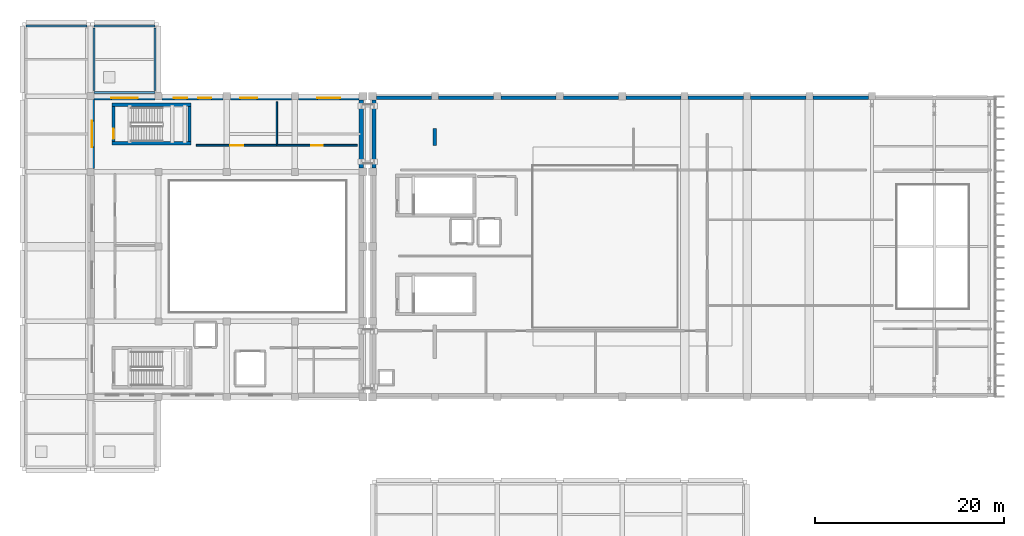
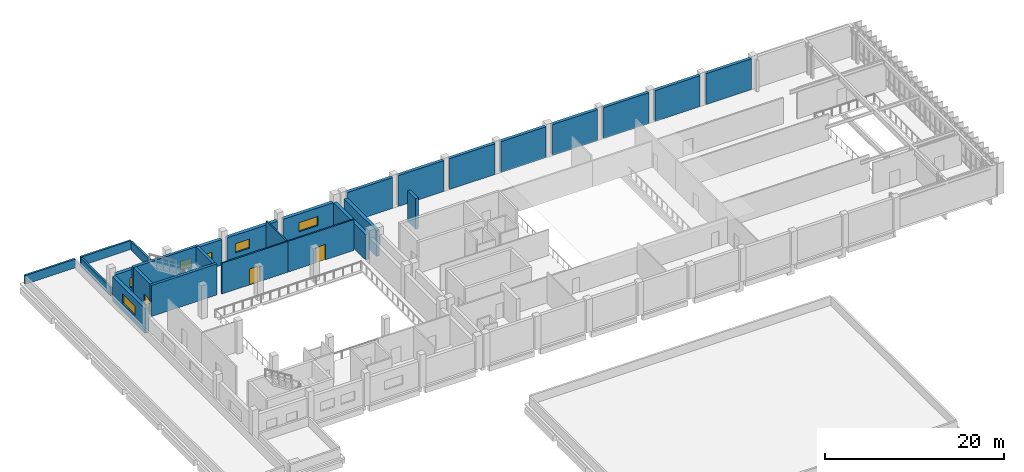
# One storey, part 17 of 23: 28 walls, 6 windows, 3 doors, 9 openings.
"""IFC4 building model written with IfcOpenShell, lengths in metres."""

from ifc_helpers import new_model, si_unit, direction, frame, frame_2d, origin, place, context, subcontext, project, spatial, rectangle, extrude, material, layer, layer_set, type_object, element, fill, save


model = new_model("IFC4")

# Units and contexts
model_context = context("Model", 3, precision=1e-05, world=origin(), true_north=direction((0.0, 1.0)))
body_context = subcontext(model_context, "Body", "Model", "MODEL_VIEW")
ifc_project = project(units=[si_unit("LENGTHUNIT", "METRE"), si_unit("AREAUNIT", "SQUARE_METRE"), si_unit("VOLUMEUNIT", "CUBIC_METRE"), si_unit("PLANEANGLEUNIT", "RADIAN"), si_unit("MASSUNIT", "GRAM", prefix="KILO")], contexts=[model_context])

# Site, building, storey
site_placement = place(None, origin())
site = spatial("IfcSite", under=ifc_project, at=site_placement, CompositionType="ELEMENT")
building_placement = place(site_placement, origin())
building = spatial("IfcBuilding", under=site, at=building_placement, Name="Kelarvand Opera House", CompositionType="ELEMENT")
storey_placement = place(building_placement, frame((0.0, 0.0, 19.5)))
storey = spatial("IfcBuildingStorey", under=building, at=storey_placement, Name="L04", CompositionType="ELEMENT", Elevation=19.5)

# Walls
ifc_material_1 = material(Name="Concrete C35/45", Category="concrete")
ifc_layer_1 = layer(ifc_material_1, 0.39990234375, Name="Concrete C35/45", Category="concrete")
ifc_layer_set_1 = layer_set([ifc_layer_1], Name="Concrete C35/45")
wall_type_1 = type_object("IfcWallType", Name="Acoustic Brick-Travertine Double Wall 400", PredefinedType="SOLIDWALL", material=ifc_layer_set_1)
wall_1_placement = place(storey_placement, frame((89.409912109375, 78.219970703125, 0.0), z_axis=(0.0, 0.0, 1.0), x_axis=(1.0, 0.0, 0.0)))
element("IfcWall", 1, at=wall_1_placement, inside=storey, type_object=wall_type_1, Name="V1 L04 Exterior Wall EW-400 (149)", PredefinedType="SOLIDWALL", context=body_context, shape_type="SweptSolid", body=[
    extrude(rectangle(XDim=5.815185546875, YDim=0.39990234375, at=frame_2d((2.90771484375, 0.0))), origin(), (0.0, 0.0, 1.0), 4.199951171875),
])
wall_2_placement = place(storey_placement, frame((95.97509765625, 78.219970703125, 0.0), z_axis=(0.0, 0.0, 1.0), x_axis=(1.0, 0.0, 0.0)))
element("IfcWall", 2, at=wall_2_placement, inside=storey, type_object=wall_type_1, Name="V1 L04 Exterior Wall EW-400 (150)", PredefinedType="SOLIDWALL", context=body_context, shape_type="SweptSolid", body=[
    extrude(rectangle(XDim=5.849853515625, YDim=0.39990234375, at=frame_2d((2.9248046875, 0.0))), origin(), (0.0, 0.0, 1.0), 4.199951171875),
])
wall_3_placement = place(storey_placement, frame((102.574951171875, 78.219970703125, 0.0), z_axis=(0.0, 0.0, 1.0), x_axis=(1.0, 0.0, 0.0)))
element("IfcWall", 3, at=wall_3_placement, inside=storey, type_object=wall_type_1, Name="V1 L04 Exterior Wall EW-400 (151)", PredefinedType="SOLIDWALL", context=body_context, shape_type="SweptSolid", body=[
    extrude(rectangle(XDim=5.85009765625, YDim=0.39990234375, at=frame_2d((2.925048828125, 0.0))), origin(), (0.0, 0.0, 1.0), 4.199951171875),
])
for number, where, z_axis, x_axis, name in (
    (4, (109.175048828125, 78.219970703125, 0.0), (0.0, 0.0, 1.0), (1.0, 0.0, 0.0), "V1 L04 Exterior Wall EW-400 (152)"),
    (5, (115.81005859375, 78.219970703125, 0.0), (0.0, 0.0, 1.0), (1.0, 0.0, 0.0), "V1 L04 Exterior Wall EW-400 (153)"),
):
    element("IfcWall", number, at=place(storey_placement, frame(where, z_axis=z_axis, x_axis=x_axis)), inside=storey, type_object=wall_type_1, Name=name, PredefinedType="SOLIDWALL", context=body_context, shape_type="SweptSolid", body=[
        extrude(rectangle(XDim=5.81494140625, YDim=0.39990234375, at=frame_2d((2.907470703125, 0.0))), origin(), (0.0, 0.0, 1.0), 4.199951171875),
    ])
wall_4_placement = place(storey_placement, frame((122.375, 78.219970703125, 0.0), z_axis=(0.0, 0.0, 1.0), x_axis=(1.0, 0.0, 0.0)))
element("IfcWall", 6, at=wall_4_placement, inside=storey, type_object=wall_type_1, Name="V1 L04 Exterior Wall EW-400 (154)", PredefinedType="SOLIDWALL", context=body_context, shape_type="SweptSolid", body=[
    extrude(rectangle(XDim=5.85009765625, YDim=0.39990234375, at=frame_2d((2.925048828125, 0.0))), origin(), (0.0, 0.0, 1.0), 4.199951171875),
])
wall_5_placement = place(storey_placement, frame((128.97509765625, 78.219970703125, 0.0), z_axis=(0.0, 0.0, 1.0), x_axis=(1.0, 0.0, 0.0)))
element("IfcWall", 7, at=wall_5_placement, inside=storey, type_object=wall_type_1, Name="V1 L04 Exterior Wall EW-400 (155)", PredefinedType="SOLIDWALL", context=body_context, shape_type="SweptSolid", body=[
    extrude(rectangle(XDim=5.849853515625, YDim=0.39990234375, at=frame_2d((2.9248046875, 0.0))), origin(), (0.0, 0.0, 1.0), 4.199951171875),
])
wall_6_placement = place(storey_placement, frame((135.574951171875, 78.219970703125, 0.0), z_axis=(0.0, 0.0, 1.0), x_axis=(1.0, 0.0, 0.0)))
element("IfcWall", 8, at=wall_6_placement, inside=storey, type_object=wall_type_1, Name="V1 L04 Exterior Wall EW-400 (156)", PredefinedType="SOLIDWALL", context=body_context, shape_type="SweptSolid", body=[
    extrude(rectangle(XDim=5.85009765625, YDim=0.39990234375, at=frame_2d((2.925048828125, 0.0))), origin(), (0.0, 0.0, 1.0), 4.199951171875),
])
wall_7_placement = place(storey_placement, frame((89.179931640625, 70.81005859375, 0.0), z_axis=(0.0, 0.0, 1.0), x_axis=(0.0, 1.0, 0.0)))
element("IfcWall", 9, at=wall_7_placement, inside=storey, type_object=wall_type_1, Name="V1 L04 Exterior Wall EW-400 (161)", PredefinedType="SOLIDWALL", context=body_context, shape_type="SweptSolid", body=[
    extrude(rectangle(XDim=7.179931640625, YDim=0.39990234375, at=frame_2d((3.58984375, 0.0))), origin(), (0.0, 0.0, 1.0), 3.510009765625),
])
ifc_material_2 = material(Name="Acoustic double-stud gypsum partition")
ifc_layer_2 = layer(ifc_material_2, 0.14990234375, Name="Acoustic double-stud gypsum partition")
ifc_layer_set_2 = layer_set([ifc_layer_2], Name="Acoustic double-stud gypsum partition")
wall_type_2 = type_object("IfcWallType", Name="Acoustic Room Partition Wall 150", PredefinedType="PARTITIONING", material=ifc_layer_set_2)
wall_8_placement = place(storey_placement, frame((78.89990234375, 73.340087890625, 0.0), z_axis=(0.0, 0.0, 1.0), x_axis=(0.0, 1.0, 0.0)))
element("IfcWall", 10, at=wall_8_placement, inside=storey, type_object=wall_type_2, Name="V2 L04 Partition Wall IW-150 (650)", PredefinedType="PARTITIONING", context=body_context, shape_type="SweptSolid", body=[
    extrude(rectangle(XDim=4.4599609375, YDim=0.14990234375, at=frame_2d((2.22998046875, 0.0))), origin(), (0.0, 0.0, 1.0), 4.19189453125),
])
ifc_layer_3 = layer(ifc_material_1, 0.239990234375, Name="Concrete C35/45", Category="concrete")
ifc_layer_set_3 = layer_set([ifc_layer_3], Name="Concrete C35/45")
wall_type_3 = type_object("IfcWallType", Name="Capped Travertine Roof Parapet 240", PredefinedType="PARAPET", material=ifc_layer_set_3)
wall_9_placement = place(storey_placement, frame((58.820068359375, 85.820068359375, 0.0), z_axis=(0.0, 0.0, 1.0), x_axis=(-1.0, 0.0, 0.0)))
element("IfcWall", 11, at=wall_9_placement, inside=storey, type_object=wall_type_3, Name="V2 Roof Parapet 14", PredefinedType="PARAPET", context=body_context, shape_type="SweptSolid", body=[
    extrude(rectangle(XDim=6.440185546875, YDim=0.239990234375, at=frame_2d((3.22021484375, 0.0))), origin(), (0.0, 0.0, 1.0), 1.199951171875),
])
for number, where, z_axis, x_axis, name in (
    (12, (59.580078125, 78.780029296875, 0.0), (0.0, 0.0, 1.0), (1.0, 0.0, 0.0), "V2 Roof Parapet 21"),
    (13, (66.02001953125, 85.820068359375, 0.0), (0.0, 0.0, 1.0), (-1.0, 0.0, 0.0), "V2 Roof Parapet 22"),
):
    element("IfcWall", number, at=place(storey_placement, frame(where, z_axis=z_axis, x_axis=x_axis)), inside=storey, type_object=wall_type_3, Name=name, PredefinedType="PARAPET", context=body_context, shape_type="SweptSolid", body=[
        extrude(rectangle(XDim=6.43994140625, YDim=0.239990234375, at=frame_2d((3.219970703125, 0.0))), origin(), (0.0, 0.0, 1.0), 1.199951171875),
    ])
for number, where, z_axis, x_axis, name in (
    (14, (59.580078125, 85.580078125, 0.0), (0.0, 0.0, 1.0), (0.0, -1.0, 0.0), "V2 Roof Parapet 23"),
    (15, (66.02001953125, 79.02001953125, 0.0), (0.0, 0.0, 1.0), (0.0, 1.0, 0.0), "V2 Roof Parapet 24"),
):
    element("IfcWall", number, at=place(storey_placement, frame(where, z_axis=z_axis, x_axis=x_axis)), inside=storey, type_object=wall_type_3, Name=name, PredefinedType="PARAPET", context=body_context, shape_type="SweptSolid", body=[
        extrude(rectangle(XDim=6.56005859375, YDim=0.239990234375, at=frame_2d((3.280029296875, 0.0))), origin(), (0.0, 0.0, 1.0), 1.199951171875),
    ])
ifc_material_3 = material(Name="Concrete C40/50", Category="concrete")
ifc_layer_4 = layer(ifc_material_3, 0.35009765625, Name="Concrete C40/50", Category="concrete")
ifc_layer_set_4 = layer_set([ifc_layer_4], Name="Concrete C40/50")
wall_type_4 = type_object("IfcWallType", Name="Core Stair and Lift Shear Wall 350", PredefinedType="SHEAR", material=ifc_layer_set_4)
for number, where, z_axis, x_axis, name in (
    (16, (61.449951171875, 73.425048828125, 0.0), (0.0, 0.0, 1.0), (1.0, 0.0, 0.0), "C3 Stair Core Shear Wall S L04"),
    (17, (69.85009765625, 77.47509765625, 0.0), (0.0, 0.0, 1.0), (-1.0, 0.0, 0.0), "C3 Stair Core Shear Wall N L04"),
):
    element("IfcWall", number, at=place(storey_placement, frame(where, z_axis=z_axis, x_axis=x_axis)), inside=storey, type_object=wall_type_4, Name=name, PredefinedType="SHEAR", context=body_context, shape_type="SweptSolid", body=[
        extrude(rectangle(XDim=8.400146484375, YDim=0.35009765625, at=frame_2d((4.2001953125, 0.0))), origin(), (0.0, 0.0, 1.0), 4.219970703125),
    ])

# Wall, opening, door
wall_10_placement = place(storey_placement, frame((61.625, 73.60009765625, 0.0), z_axis=(0.0, 0.0, 1.0), x_axis=(0.0, 1.0, 0.0)))
wall_10 = element("IfcWall", 18, at=wall_10_placement, inside=storey, type_object=wall_type_4, Name="C3 Stair Core Shear Wall W L04", PredefinedType="SHEAR", context=body_context, shape_type="SweptSolid", body=[
    extrude(rectangle(XDim=3.699951171875, YDim=0.35009765625, at=frame_2d((1.85009765625, 0.0))), origin(), (0.0, 0.0, 1.0), 4.219970703125),
])
opening_1_placement = place(wall_10_placement, frame((0.280029296875, 0.0, 0.0)))
opening_1 = element("IfcOpeningElement", 19, at=opening_1_placement, cuts=wall_10, Name="Opening FD-01", PredefinedType="OPENING", context=body_context, shape_type="SweptSolid", body=[
    extrude(rectangle(XDim=1.10009765625, YDim=2.080078125, at=frame_2d((0.550048828125, 1.0400390625))), frame((0.0, 0.18505859375, 0.0), z_axis=(0.0, -1.0, 0.0), x_axis=(1.0, 0.0, 0.0)), (0.0, 0.0, 1.0), 0.3701171875),
])
ifc_material_4 = material(Name="Fire-rated brushed stainless steel", Category="steel")
door_type_1 = type_object("IfcDoorType", Name="Steel Fire-Rated Stair and FF Lobby Door 1100x2080", OperationType="NOTDEFINED", PredefinedType="DOOR", material=ifc_material_4)
door_1_placement = place(opening_1_placement, origin())
door_1 = element("IfcDoor", 20, at=door_1_placement, inside=storey, type_object=door_type_1, Name="C3 Stair ST-03 Fire Door L04", OperationType="SINGLE_SWING_RIGHT", OverallHeight=2.080078125, OverallWidth=1.10009765625, PredefinedType="DOOR", context=body_context, shape_type="SweptSolid", body=[
    extrude(rectangle(XDim=1.10009765625, YDim=2.080078125, at=frame_2d((0.550048828125, 1.0400390625))), frame((0.0, 0.02490234375, 0.0), z_axis=(0.0, -1.0, 0.0), x_axis=(1.0, 0.0, 0.0)), (0.0, 0.0, 1.0), 0.050048828125),
])
fill(opening_1, door_1)

# Wall
wall_11_placement = place(storey_placement, frame((69.675048828125, 77.300048828125, 0.0), z_axis=(0.0, 0.0, 1.0), x_axis=(0.0, -1.0, 0.0)))
element("IfcWall", 21, at=wall_11_placement, inside=storey, type_object=wall_type_4, Name="C3 Stair Core Shear Wall E L04", PredefinedType="SHEAR", context=body_context, shape_type="SweptSolid", body=[
    extrude(rectangle(XDim=3.699951171875, YDim=0.35009765625, at=frame_2d((1.85009765625, 0.0))), origin(), (0.0, 0.0, 1.0), 4.219970703125),
])

# Wall, opening, door
ifc_layer_5 = layer(ifc_material_1, 0.179931640625, Name="Concrete C35/45", Category="concrete")
ifc_layer_set_5 = layer_set([ifc_layer_5], Name="Concrete C35/45")
wall_type_5 = type_object("IfcWallType", Name="Corridor Fire-Rated Partition Wall 180 EI90", PredefinedType="PARTITIONING", material=ifc_layer_set_5)
wall_12_placement = place(storey_placement, frame((70.39990234375, 73.199951171875, 0.0), z_axis=(0.0, 0.0, 1.0), x_axis=(1.0, 0.0, 0.0)))
wall_12 = element("IfcWall", 22, at=wall_12_placement, inside=storey, type_object=wall_type_5, Name="V2 L04 Partition Wall IW-90 (649)", PredefinedType="PARTITIONING", context=body_context, shape_type="SweptSolid", body=[
    extrude(rectangle(XDim=8.5, YDim=0.179931640625, at=frame_2d((4.25, 0.0))), origin(), (0.0, 0.0, 1.0), 4.19189453125),
])
opening_2_placement = place(wall_12_placement, frame((3.574951171875, 0.0, 0.0)))
opening_2 = element("IfcOpeningElement", 23, at=opening_2_placement, cuts=wall_12, Name="Opening D-12", PredefinedType="OPENING", context=body_context, shape_type="SweptSolid", body=[
    extrude(rectangle(XDim=1.35009765625, YDim=2.159912109375, at=frame_2d((0.675048828125, 1.080078125))), frame((0.0, 0.10009765625, 0.0), z_axis=(0.0, -1.0, 0.0), x_axis=(1.0, 0.0, 0.0)), (0.0, 0.0, 1.0), 0.199951171875),
])
ifc_material_5 = material(Name="Acoustic walnut-veneered hardwood", Category="wood")
door_type_2 = type_object("IfcDoorType", Name="Wardrobe Studio Leaf-and-Half Door 1350x2160", OperationType="NOTDEFINED", PredefinedType="DOOR", material=ifc_material_5)
door_2_placement = place(opening_2_placement, origin())
door_2 = element("IfcDoor", 24, at=door_2_placement, inside=storey, type_object=door_type_2, Name="V2 L04 Door D-12 (291)", OperationType="SINGLE_SWING_LEFT", OverallHeight=2.159912109375, OverallWidth=1.35009765625, PredefinedType="DOOR", context=body_context, shape_type="SweptSolid", body=[
    extrude(rectangle(XDim=1.35009765625, YDim=2.159912109375, at=frame_2d((0.675048828125, 1.080078125))), frame((0.0, 0.02490234375, 0.0), z_axis=(0.0, -1.0, 0.0), x_axis=(1.0, 0.0, 0.0)), (0.0, 0.0, 1.0), 0.050048828125),
])
fill(opening_2, door_2)

wall_13_placement = place(storey_placement, frame((78.89990234375, 73.199951171875, 0.0), z_axis=(0.0, 0.0, 1.0), x_axis=(1.0, 0.0, 0.0)))
wall_13 = element("IfcWall", 25, at=wall_13_placement, inside=storey, type_object=wall_type_5, Name="V2 L04 Partition Wall IW-90 (651)", PredefinedType="PARTITIONING", context=body_context, shape_type="SweptSolid", body=[
    extrude(rectangle(XDim=8.5, YDim=0.179931640625, at=frame_2d((4.25, 0.0))), origin(), (0.0, 0.0, 1.0), 4.19189453125),
])
opening_3_placement = place(wall_13_placement, frame((3.64990234375, 0.0, 0.0)))
opening_3 = element("IfcOpeningElement", 26, at=opening_3_placement, cuts=wall_13, Name="Opening D-06", PredefinedType="OPENING", context=body_context, shape_type="SweptSolid", body=[
    extrude(rectangle(XDim=1.199951171875, YDim=2.10009765625, at=frame_2d((0.60009765625, 1.050048828125))), frame((0.0, 0.10009765625, 0.0), z_axis=(0.0, -1.0, 0.0), x_axis=(1.0, 0.0, 0.0)), (0.0, 0.0, 1.0), 0.199951171875),
])
door_type_3 = type_object("IfcDoorType", Name="Accessible Suite Timber Door 1200x2100", OperationType="NOTDEFINED", PredefinedType="DOOR", material=ifc_material_5)
door_3_placement = place(opening_3_placement, origin())
door_3 = element("IfcDoor", 27, at=door_3_placement, inside=storey, type_object=door_type_3, Name="V2 L04 Door D-06 (292)", OperationType="SINGLE_SWING_RIGHT", OverallHeight=2.10009765625, OverallWidth=1.199951171875, PredefinedType="DOOR", context=body_context, shape_type="SweptSolid", body=[
    extrude(rectangle(XDim=1.199951171875, YDim=2.10009765625, at=frame_2d((0.60009765625, 1.050048828125))), frame((0.0, 0.02490234375, 0.0), z_axis=(0.0, -1.0, 0.0), x_axis=(1.0, 0.0, 0.0)), (0.0, 0.0, 1.0), 0.050048828125),
])
fill(opening_3, door_3)

# Walls
ifc_layer_6 = layer(ifc_material_3, 0.39990234375, Name="Concrete C40/50", Category="concrete")
ifc_layer_set_6 = layer_set([ifc_layer_6], Name="Concrete C40/50")
wall_type_6 = type_object("IfcWallType", Name="Seismic Compartment Shear Wall 400", PredefinedType="SHEAR", material=ifc_layer_set_6)
wall_14_placement = place(storey_placement, frame((95.60009765625, 73.199951171875, 0.0), z_axis=(0.0, 0.0, 1.0), x_axis=(0.0, 1.0, 0.0)))
element("IfcWall", 28, at=wall_14_placement, inside=storey, type_object=wall_type_6, Name="V1 Shear Wall CW-120 L04", PredefinedType="SHEAR", context=body_context, shape_type="SweptSolid", body=[
    extrude(rectangle(XDim=1.800048828125, YDim=0.39990234375, at=frame_2d((0.89990234375, 0.0))), origin(), (0.0, 0.0, 1.0), 4.179931640625),
])
ifc_layer_7 = layer(ifc_material_1, 0.43994140625, Name="Concrete C35/45", Category="concrete")
ifc_layer_set_7 = layer_set([ifc_layer_7], Name="Concrete C35/45")
wall_type_7 = type_object("IfcWallType", Name="Stage House Acoustic Cavity Wall 440", PredefinedType="SOLIDWALL", material=ifc_layer_set_7)
wall_15_placement = place(storey_placement, frame((87.820068359375, 77.989990234375, 0.0), z_axis=(0.0, 0.0, 1.0), x_axis=(0.0, -1.0, 0.0)))
element("IfcWall", 29, at=wall_15_placement, inside=storey, type_object=wall_type_7, Name="V2 L04 Exterior Wall EW-440 (302)", PredefinedType="SOLIDWALL", context=body_context, shape_type="SweptSolid", body=[
    extrude(rectangle(XDim=7.179931640625, YDim=0.43994140625, at=frame_2d((3.58984375, 0.0))), origin(), (0.0, 0.0, 1.0), 3.4619140625),
])

# Wall, opening, window
wall_16_placement = place(storey_placement, frame((59.574951171875, 78.219970703125, 0.0), z_axis=(0.0, 0.0, 1.0), x_axis=(1.0, 0.0, 0.0)))
wall_16 = element("IfcWall", 30, at=wall_16_placement, inside=storey, type_object=wall_type_7, Name="V2 L04 Exterior Wall EW-440 (306)", PredefinedType="SOLIDWALL", context=body_context, shape_type="SweptSolid", body=[
    extrude(rectangle(XDim=6.449951171875, YDim=0.43994140625, at=frame_2d((3.22509765625, 0.0))), origin(), (0.0, 0.0, 1.0), 3.4619140625),
])
opening_4_placement = place(wall_16_placement, frame((1.824951171875, 0.0, 1.050048828125)))
opening_4 = element("IfcOpeningElement", 31, at=opening_4_placement, cuts=wall_16, Name="Opening WN-21", PredefinedType="OPENING", context=body_context, shape_type="SweptSolid", body=[
    extrude(rectangle(XDim=2.800048828125, YDim=1.35009765625, at=frame_2d((1.39990234375, 0.675048828125))), frame((0.0, 0.22998046875, 0.0), z_axis=(0.0, -1.0, 0.0), x_axis=(1.0, 0.0, 0.0)), (0.0, 0.0, 1.0), 0.4599609375),
])
ifc_material_6 = material(Name="Thermally broken aluminium and low-E double glazing", Category="aluminium")
window_type_1 = type_object("IfcWindowType", Name="Recessed Aluminium Thermal Window 2800x1350 WN-21", PartitioningType="SINGLE_PANEL", PredefinedType="WINDOW", material=ifc_material_6)
window_1_placement = place(opening_4_placement, origin())
window_1 = element("IfcWindow", 32, at=window_1_placement, inside=storey, type_object=window_type_1, Name="V2 L04 Facade Window WN-21 (90)", OverallHeight=1.35009765625, OverallWidth=2.800048828125, PartitioningType="SINGLE_PANEL", PredefinedType="WINDOW", context=body_context, shape_type="SweptSolid", body=[
    extrude(rectangle(XDim=2.800048828125, YDim=1.35009765625, at=frame_2d((1.39990234375, 0.675048828125))), frame((0.0, 0.030029296875, 0.0), z_axis=(0.0, -1.0, 0.0), x_axis=(1.0, 0.0, 0.0)), (0.0, 0.0, 1.0), 0.06005859375),
])
fill(opening_4, window_1)

# Wall, openings, windows
wall_17_placement = place(storey_placement, frame((66.77490234375, 78.219970703125, 0.0), z_axis=(0.0, 0.0, 1.0), x_axis=(1.0, 0.0, 0.0)))
wall_17 = element("IfcWall", 33, at=wall_17_placement, inside=storey, type_object=wall_type_7, Name="V2 L04 Exterior Wall EW-440 (307)", PredefinedType="SOLIDWALL", context=body_context, shape_type="SweptSolid", body=[
    extrude(rectangle(XDim=6.4501953125, YDim=0.43994140625, at=frame_2d((3.22509765625, 0.0))), origin(), (0.0, 0.0, 1.0), 3.4619140625),
])
opening_5_placement = place(wall_17_placement, frame((1.235107421875, 0.0, 1.0)))
opening_5 = element("IfcOpeningElement", 34, at=opening_5_placement, cuts=wall_17, Name="Opening WN-24", PredefinedType="OPENING", context=body_context, shape_type="SweptSolid", body=[
    extrude(rectangle(XDim=1.39990234375, YDim=1.199951171875, at=frame_2d((0.699951171875, 0.60009765625))), frame((0.0, 0.22998046875, 0.0), z_axis=(0.0, -1.0, 0.0), x_axis=(1.0, 0.0, 0.0)), (0.0, 0.0, 1.0), 0.4599609375),
])
opening_6_placement = place(wall_17_placement, frame((3.81494140625, 0.0, 1.0)))
opening_6 = element("IfcOpeningElement", 35, at=opening_6_placement, cuts=wall_17, Name="Opening WN-24", PredefinedType="OPENING", context=body_context, shape_type="SweptSolid", body=[
    extrude(rectangle(XDim=1.39990234375, YDim=1.199951171875, at=frame_2d((0.699951171875, 0.60009765625))), frame((0.0, 0.22998046875, 0.0), z_axis=(0.0, -1.0, 0.0), x_axis=(1.0, 0.0, 0.0)), (0.0, 0.0, 1.0), 0.4599609375),
])
window_type_2 = type_object("IfcWindowType", Name="Recessed Aluminium Thermal Window 1400x1200 WN-24", PartitioningType="SINGLE_PANEL", PredefinedType="WINDOW", material=ifc_material_6)
window_2_placement = place(opening_5_placement, origin())
window_2 = element("IfcWindow", 36, at=window_2_placement, inside=storey, type_object=window_type_2, Name="V2 L04 Facade Window WN-24 (91)", OverallHeight=1.199951171875, OverallWidth=1.39990234375, PartitioningType="SINGLE_PANEL", PredefinedType="WINDOW", context=body_context, shape_type="SweptSolid", body=[
    extrude(rectangle(XDim=1.39990234375, YDim=1.199951171875, at=frame_2d((0.699951171875, 0.60009765625))), frame((0.0, 0.030029296875, 0.0), z_axis=(0.0, -1.0, 0.0), x_axis=(1.0, 0.0, 0.0)), (0.0, 0.0, 1.0), 0.06005859375),
])
fill(opening_5, window_2)
window_3_placement = place(opening_6_placement, origin())
window_3 = element("IfcWindow", 37, at=window_3_placement, inside=storey, type_object=window_type_2, Name="V2 L04 Facade Window WN-24 (92)", OverallHeight=1.199951171875, OverallWidth=1.39990234375, PartitioningType="SINGLE_PANEL", PredefinedType="WINDOW", context=body_context, shape_type="SweptSolid", body=[
    extrude(rectangle(XDim=1.39990234375, YDim=1.199951171875, at=frame_2d((0.699951171875, 0.60009765625))), frame((0.0, 0.030029296875, 0.0), z_axis=(0.0, -1.0, 0.0), x_axis=(1.0, 0.0, 0.0)), (0.0, 0.0, 1.0), 0.06005859375),
])
fill(opening_6, window_3)

# Wall, opening, window
wall_18_placement = place(storey_placement, frame((73.97509765625, 78.219970703125, 0.0), z_axis=(0.0, 0.0, 1.0), x_axis=(1.0, 0.0, 0.0)))
wall_18 = element("IfcWall", 38, at=wall_18_placement, inside=storey, type_object=wall_type_7, Name="V2 L04 Exterior Wall EW-440 (308)", PredefinedType="SOLIDWALL", context=body_context, shape_type="SweptSolid", body=[
    extrude(rectangle(XDim=6.449951171875, YDim=0.43994140625, at=frame_2d((3.22509765625, 0.0))), origin(), (0.0, 0.0, 1.0), 3.4619140625),
])
opening_7_placement = place(wall_18_placement, frame((1.034912109375, 0.0, 1.050048828125)))
opening_7 = element("IfcOpeningElement", 39, at=opening_7_placement, cuts=wall_18, Name="Opening WN-23", PredefinedType="OPENING", context=body_context, shape_type="SweptSolid", body=[
    extrude(rectangle(XDim=1.800048828125, YDim=1.25, at=frame_2d((0.89990234375, 0.625))), frame((0.0, 0.22998046875, 0.0), z_axis=(0.0, -1.0, 0.0), x_axis=(1.0, 0.0, 0.0)), (0.0, 0.0, 1.0), 0.4599609375),
])
window_type_3 = type_object("IfcWindowType", Name="Recessed Aluminium Thermal Window 1800x1250 WN-23", PartitioningType="SINGLE_PANEL", PredefinedType="WINDOW", material=ifc_material_6)
window_4_placement = place(opening_7_placement, origin())
window_4 = element("IfcWindow", 40, at=window_4_placement, inside=storey, type_object=window_type_3, Name="V2 L04 Facade Window WN-23 (93)", OverallHeight=1.25, OverallWidth=1.800048828125, PartitioningType="SINGLE_PANEL", PredefinedType="WINDOW", context=body_context, shape_type="SweptSolid", body=[
    extrude(rectangle(XDim=1.800048828125, YDim=1.25, at=frame_2d((0.89990234375, 0.625))), frame((0.0, 0.030029296875, 0.0), z_axis=(0.0, -1.0, 0.0), x_axis=(1.0, 0.0, 0.0)), (0.0, 0.0, 1.0), 0.06005859375),
])
fill(opening_7, window_4)

wall_19_placement = place(storey_placement, frame((81.175048828125, 78.219970703125, 0.0), z_axis=(0.0, 0.0, 1.0), x_axis=(1.0, 0.0, 0.0)))
wall_19 = element("IfcWall", 41, at=wall_19_placement, inside=storey, type_object=wall_type_7, Name="V2 L04 Exterior Wall EW-440 (309)", PredefinedType="SOLIDWALL", context=body_context, shape_type="SweptSolid", body=[
    extrude(rectangle(XDim=6.4150390625, YDim=0.43994140625, at=frame_2d((3.20751953125, 0.0))), origin(), (0.0, 0.0, 1.0), 3.4619140625),
])
opening_8_placement = place(wall_19_placement, frame((2.008056640625, 0.0, 1.050048828125)))
opening_8 = element("IfcOpeningElement", 42, at=opening_8_placement, cuts=wall_19, Name="Opening WN-22", PredefinedType="OPENING", context=body_context, shape_type="SweptSolid", body=[
    extrude(rectangle(XDim=2.39990234375, YDim=1.25, at=frame_2d((1.199951171875, 0.625))), frame((0.0, 0.22998046875, 0.0), z_axis=(0.0, -1.0, 0.0), x_axis=(1.0, 0.0, 0.0)), (0.0, 0.0, 1.0), 0.4599609375),
])
window_type_4 = type_object("IfcWindowType", Name="Recessed Aluminium Thermal Window 2400x1250 WN-22", PartitioningType="SINGLE_PANEL", PredefinedType="WINDOW", material=ifc_material_6)
window_5_placement = place(opening_8_placement, origin())
window_5 = element("IfcWindow", 43, at=window_5_placement, inside=storey, type_object=window_type_4, Name="V2 L04 Facade Window WN-22 (94)", OverallHeight=1.25, OverallWidth=2.39990234375, PartitioningType="SINGLE_PANEL", PredefinedType="WINDOW", context=body_context, shape_type="SweptSolid", body=[
    extrude(rectangle(XDim=2.39990234375, YDim=1.25, at=frame_2d((1.199951171875, 0.625))), frame((0.0, 0.030029296875, 0.0), z_axis=(0.0, -1.0, 0.0), x_axis=(1.0, 0.0, 0.0)), (0.0, 0.0, 1.0), 0.06005859375),
])
fill(opening_8, window_5)

wall_20_placement = place(storey_placement, frame((59.3798828125, 70.77490234375, 0.0), z_axis=(0.0, 0.0, 1.0), x_axis=(0.0, 1.0, 0.0)))
wall_20 = element("IfcWall", 44, at=wall_20_placement, inside=storey, type_object=wall_type_7, Name="V2 L04 Exterior Wall EW-440 (312)", PredefinedType="SOLIDWALL", context=body_context, shape_type="SweptSolid", body=[
    extrude(rectangle(XDim=7.25, YDim=0.43994140625, at=frame_2d((3.625, 0.0))), origin(), (0.0, 0.0, 1.0), 3.362060546875),
])
opening_9_placement = place(wall_20_placement, frame((2.22509765625, 0.0, 1.050048828125)))
opening_9 = element("IfcOpeningElement", 45, at=opening_9_placement, cuts=wall_20, Name="Opening WN-21", PredefinedType="OPENING", context=body_context, shape_type="SweptSolid", body=[
    extrude(rectangle(XDim=2.800048828125, YDim=1.35009765625, at=frame_2d((1.39990234375, 0.675048828125))), frame((0.0, 0.22998046875, 0.0), z_axis=(0.0, -1.0, 0.0), x_axis=(1.0, 0.0, 0.0)), (0.0, 0.0, 1.0), 0.4599609375),
])
window_6_placement = place(opening_9_placement, origin())
window_6 = element("IfcWindow", 46, at=window_6_placement, inside=storey, type_object=window_type_1, Name="V2 L04 Facade Window WN-21 (98)", OverallHeight=1.35009765625, OverallWidth=2.800048828125, PartitioningType="SINGLE_PANEL", PredefinedType="WINDOW", context=body_context, shape_type="SweptSolid", body=[
    extrude(rectangle(XDim=2.800048828125, YDim=1.35009765625, at=frame_2d((1.39990234375, 0.675048828125))), frame((0.0, 0.030029296875, 0.0), z_axis=(0.0, -1.0, 0.0), x_axis=(1.0, 0.0, 0.0)), (0.0, 0.0, 1.0), 0.06005859375),
])
fill(opening_9, window_6)

save(model, "model.ifc")
